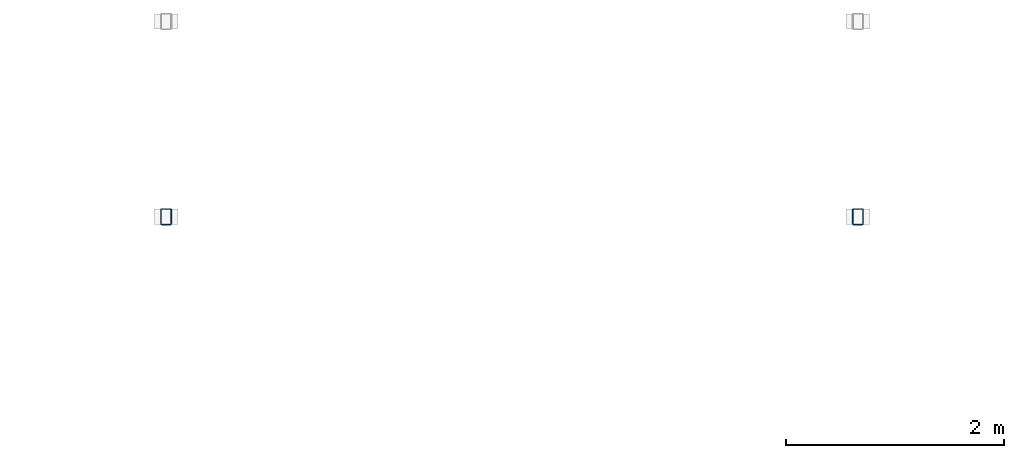
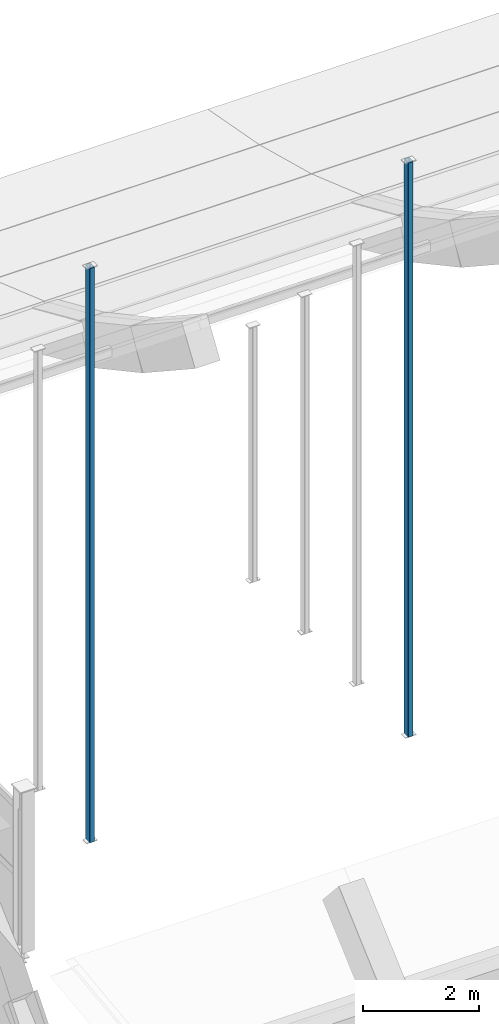
# One storey, part 16 of 77: 2 members.
"""IFC4 building model written with IfcOpenShell, lengths in metres."""

from ifc_helpers import new_model, si_unit, direction, frame, origin, origin_2d, place, context, subcontext, project, spatial, hollow_rectangle, extrude, material, material_profile, profile_set, type_object, element, save


model = new_model("IFC4")

# Units and contexts
model_context = context("Model", 3, precision=1e-05, world=origin(), true_north=direction((0.0, 1.0)))
body_context = subcontext(model_context, "Body", "Model", "MODEL_VIEW")
ifc_project = project(units=[si_unit("LENGTHUNIT", "METRE"), si_unit("AREAUNIT", "SQUARE_METRE"), si_unit("VOLUMEUNIT", "CUBIC_METRE"), si_unit("PLANEANGLEUNIT", "RADIAN"), si_unit("MASSUNIT", "GRAM", prefix="KILO")], contexts=[model_context])

# Site, building, storey
site_placement = place(None, origin())
site = spatial("IfcSite", under=ifc_project, at=site_placement, CompositionType="ELEMENT")
building_placement = place(site_placement, origin())
building = spatial("IfcBuilding", under=site, at=building_placement, Name="Trellovar Central Fire Station", CompositionType="ELEMENT")
storey_placement = place(building_placement, frame((0.0, 0.0, 5.85009765625)))
storey = spatial("IfcBuildingStorey", under=building, at=storey_placement, Name="L02", CompositionType="ELEMENT", Elevation=5.85009765625)

# Members
ifc_material = material(Name="Steel ASTM A500 Grade C", Category="steel")
ifc_material_profile = material_profile(ifc_material, hollow_rectangle(XDim=0.1015625, YDim=0.15234375, WallThickness=0.005859375, InnerFilletRadius=0.005859375, OuterFilletRadius=0.01171875, at=origin_2d()), Name="HSS6X4X1/4")
ifc_profile_set = profile_set([ifc_material_profile], Name="Steel ASTM A500 Grade C")
member_type = type_object("IfcMemberType", Name="MEM-ST2", PredefinedType="STRUT", material=ifc_profile_set)
for number, where, z_axis, x_axis, name in (
    (1, (41.35009765625, 24.47998046875, -0.2001953125), (0.0, 0.0, 1.0), (1.0, 0.0, 0.0), "V1 tied-arch web post 02 Y=24.5"),
    (2, (47.699951171875, 24.47998046875, -0.2001953125), (0.0, 0.0, 1.0), (1.0, 0.0, 0.0), "V1 tied-arch web post 03 Y=24.5"),
):
    element("IfcMember", number, at=place(storey_placement, frame(where, z_axis=z_axis, x_axis=x_axis)), inside=storey, type_object=member_type, Name=name, PredefinedType="STRUT", context=body_context, shape_type="SweptSolid", body=[
        extrude(hollow_rectangle(XDim=0.1015625, YDim=0.15234375, WallThickness=0.005859375, InnerFilletRadius=0.005859375, OuterFilletRadius=0.01171875, at=origin_2d()), origin(), (0.0, 0.0, 1.0), 12.10009765625),
    ])

save(model, "model.ifc")
